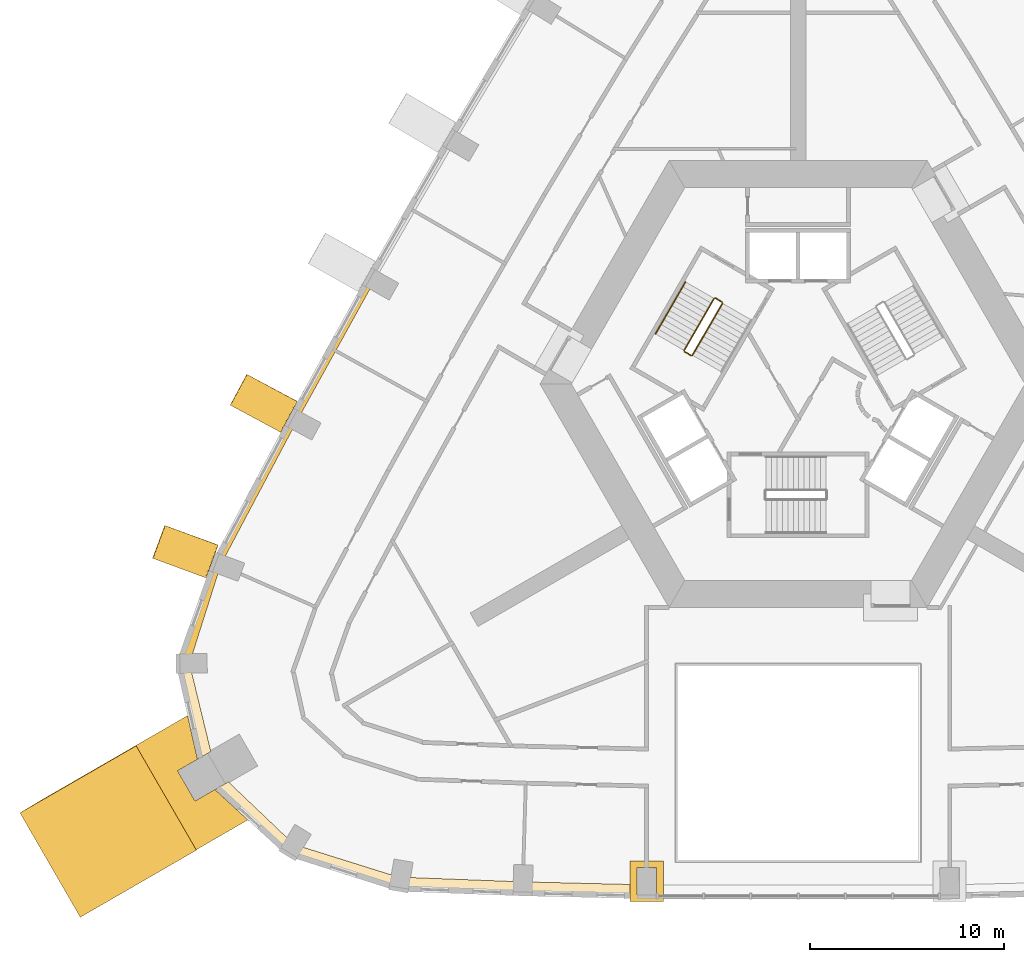
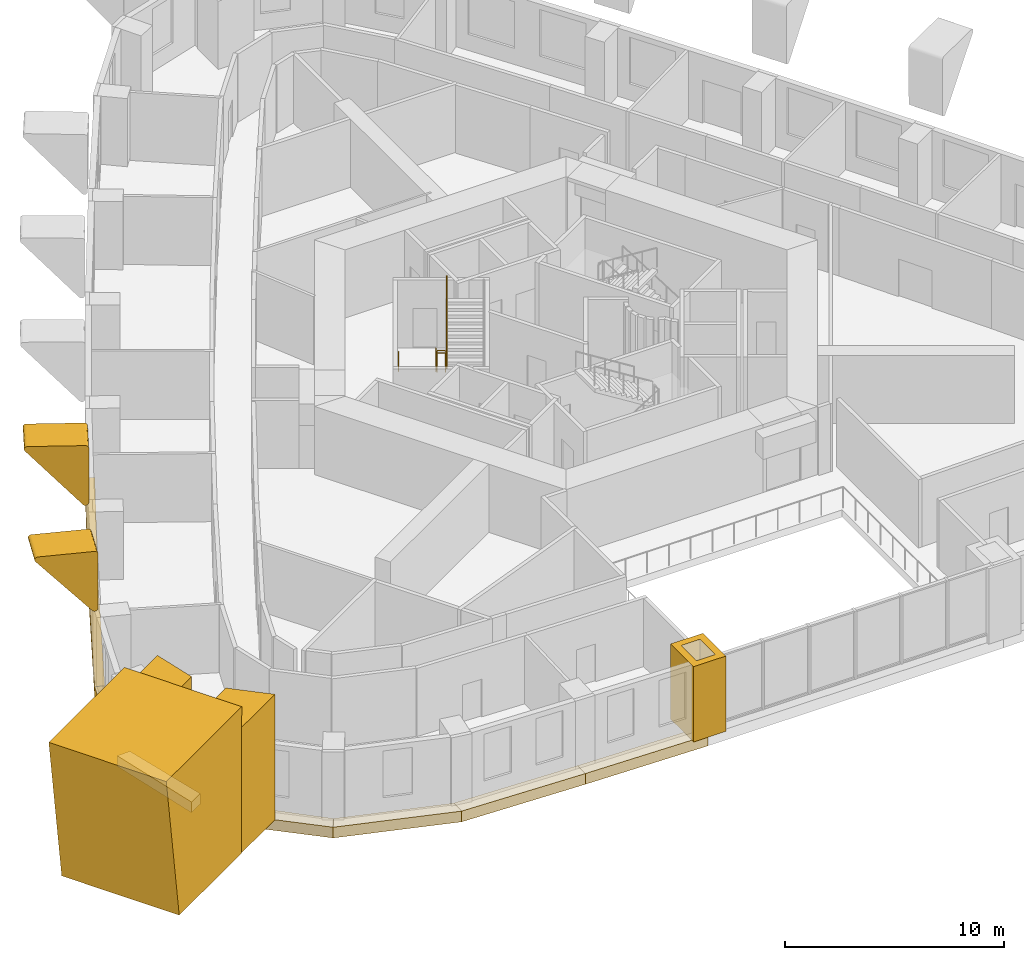
# One storey, part 11 of 13: 13 coverings, 5 railings.
"""IFC4 building model written with IfcOpenShell, lengths in metres."""

from ifc_helpers import new_model, si_unit, direction, frame, origin, origin_2d, place, context, subcontext, project, spatial, polyline, circle, outline, extrude, material, type_object, element, save


model = new_model("IFC4")

# Units and contexts
model_context = context("Model", 3, precision=1e-05, world=origin(), true_north=direction((0.0, 1.0)))
body_context = subcontext(model_context, "Body", "Model", "MODEL_VIEW")
ifc_project = project(units=[si_unit("LENGTHUNIT", "METRE"), si_unit("AREAUNIT", "SQUARE_METRE"), si_unit("VOLUMEUNIT", "CUBIC_METRE"), si_unit("PLANEANGLEUNIT", "RADIAN"), si_unit("MASSUNIT", "GRAM", prefix="KILO")], contexts=[model_context])

# Site, building, storey
site_placement = place(None, origin())
site = spatial("IfcSite", under=ifc_project, at=site_placement, CompositionType="ELEMENT")
building_placement = place(site_placement, origin())
building = spatial("IfcBuilding", under=site, at=building_placement, Name="Entoto Arch Interchange Tower", CompositionType="ELEMENT")
storey_placement = place(building_placement, frame((0.0, 0.0, 227.60009765625)))
storey = spatial("IfcBuildingStorey", under=building, at=storey_placement, Name="L51", CompositionType="ELEMENT", Elevation=227.60009765625)

# Coverings
ifc_material_1 = material(Name="Board-marked precast concrete C50/60", Category="concrete")
covering_type_1 = type_object("IfcCoveringType", Name="PRECAST FRAME COURSE", PredefinedType="CLADDING", material=ifc_material_1)
covering_1_placement = place(storey_placement, frame((0.0, 0.0, -0.400146484375)))
element("IfcCovering", 1, at=covering_1_placement, inside=storey, type_object=covering_type_1, Name="Corner pilaster SW L51-L52", PredefinedType="CLADDING", context=body_context, shape_type="SweptSolid", body=[
    extrude(outline(polyline([(-30.968017578125, -21.458984375), (-34.068115234375, -16.089111328125), (-31.407958984375, -14.553955078125), (-30.905029296875, -16.803955078125), (-31.927978515625, -17.39501953125), (-31.028076171875, -18.952880859375), (-30.0048828125, -18.362060546875), (-28.30810546875, -19.923095703125), (-30.968017578125, -21.458984375)])), origin(), (0.0, 0.0, 1.0), 7.0),
])
covering_2_placement = place(storey_placement, frame((-34.068115234375, -16.089111328125, -0.400146484375), z_axis=(-0.499997349889, 0.866021424235, 0.003089153553), x_axis=(-0.866025556186, -0.499999736032, 1.57659e-07)))
element("IfcCovering", 2, at=covering_2_placement, inside=storey, type_object=covering_type_1, Name="Corner rib SW L51-L52", PredefinedType="CLADDING", context=body_context, shape_type="SweptSolid", body=[
    extrude(outline(polyline([(0.0, 0.0), (5.675282569146415, 0.0), (6.899977960372432, 8.199989209841922), (-0.00042971399233098786, 8.199991192516787), (0.0, 0.0)])), origin(), (0.0, 0.0, -1.0), 6.199951171875),
])
covering_3_placement = place(storey_placement, frame((-25.991943359375, 1.735107421875, 4.501953125), z_axis=(0.474135045126, 0.88044723366, 0.002937298633), x_axis=(0.673361415264, -0.3604625582, -0.645485203989)))
element("IfcCovering", 3, at=covering_3_placement, inside=storey, type_object=covering_type_1, Name="Fold rib NW05 L51-L52", PredefinedType="CLADDING", context=body_context, shape_type="SweptSolid", body=[
    extrude(outline(polyline([(0.0, 0.0), (0.0434939784463933, 0.0), (0.08517630676299522, -0.011570512054581567), (0.12154199642759661, -0.035913012503873264), (0.1496694081030509, -0.06895307942017168), (0.167162204244638, -0.10835168807517323), (0.17277072526247086, -0.15113010117226508), (0.1656273559627431, -0.19495916891719578), (0.14636470177392336, -0.23365959630736774), (-1.831105471148678, -2.574081020803898), (-1.851690149431129, -2.5947233245402317), (-1.8763240067246958, -2.610345597998074), (-1.9183484556976005, -2.624694104351255), (-1.9476744901602088, -2.627398679118593), (-1.9768310736455807, -2.623857269357454), (-2.017990745685341, -2.6085686281072236), (-2.042411878703281, -2.591764557185747), (-4.0712255187730335, -0.8771490464706064), (-4.100520113333705, -0.8434406786614639), (-4.114455885812815, -0.8172782512933119), (-4.121874778094373, -0.7886305422655995), (-4.124753056349675, -0.7587089028525067), (-4.120601572963674, -0.7296145145647972), (-4.111331094683363, -0.7006879149660572), (-4.095912330971226, -0.6756809329729663), (-4.076528864152207, -0.6527455431842872), (-4.05277423428417, -0.6347822075387044), (-4.025841568248836, -0.6223829890305705), (-3.996601288556528, -0.6141697841743561), (0.0, 0.0)])), origin(), (0.0, 0.0, -1.0), 1.800048828125),
])
covering_4_placement = place(storey_placement, frame((-30.077880859375, -5.68896484375, 4.50390625), z_axis=(0.346976240135, 0.937869720757, 0.002806362136), x_axis=(0.711853656452, -0.261408302301, -0.651866605437)))
element("IfcCovering", 4, at=covering_4_placement, inside=storey, type_object=covering_type_1, Name="Fold rib NW06 L51-L52", PredefinedType="CLADDING", context=body_context, shape_type="SweptSolid", body=[
    extrude(outline(polyline([(0.0, 0.0), (0.043071678208437006, 6.938893903907228e-18), (0.0855026142770074, -0.012972437724281673), (0.12123970041290769, -0.036931857504450036), (0.14901943052540456, -0.07014821649200406), (0.1662949078751074, -0.11010837783544664), (0.17201921136991646, -0.1530213060304705), (0.16392537750055217, -0.19628367414569356), (0.14476250760759415, -0.23518686757022444), (-1.8509848317688007, -2.5574697321769477), (-1.872264129408853, -2.577489453567162), (-1.8969717152517886, -2.5929514256829718), (-1.9387870645136773, -2.6072295262462775), (-1.968575484597511, -2.60931135655018), (-1.996826582989956, -2.6062749378970325), (-2.0382343843582005, -2.5903173901320415), (-2.0627469112506693, -2.5731108091258736), (-4.061593734639155, -0.854880604566993), (-4.090986771431181, -0.8206010350711601), (-4.104104790914935, -0.7948352934725846), (-4.112276012493076, -0.7652782787144947), (-4.114077447418644, -0.736038806981018), (-4.109959797832155, -0.7067418130626091), (-4.100499663005952, -0.677850917679119), (-4.085547566692577, -0.6523921351680826), (-4.065277301288626, -0.630216385367182), (-4.041657213344221, -0.6122084579003315), (-4.01530924606511, -0.5994431268505862), (-3.986647020426391, -0.592531516564279), (0.0, 0.0)])), origin(), (0.0, 0.0, -1.0), 1.800048828125),
])
covering_5_placement = place(storey_placement, frame((0.0, 0.0, -0.400146484375)))
element("IfcCovering", 5, at=covering_5_placement, inside=storey, type_object=covering_type_1, Name="Gate pier L51", PredefinedType="CLADDING", context=body_context, shape_type="SweptSolid", body=[
    extrude(outline(polyline([(-8.637939453125, -22.028076171875), (-6.93798828125, -22.028076171875), (-6.93798828125, -24.1279296875), (-8.637939453125, -24.1279296875), (-8.637939453125, -22.028076171875)]), holes=[polyline([(-8.2880859375, -22.3779296875), (-8.2880859375, -23.778076171875), (-7.2880859375, -23.778076171875), (-7.2880859375, -22.3779296875), (-8.2880859375, -22.3779296875)])]), origin(), (0.0, 0.0, 1.0), 4.199951171875),
])
covering_type_2 = type_object("IfcCoveringType", Name="PRECAST LEDGE COURSE", PredefinedType="CLADDING", material=ifc_material_1)
covering_6_placement = place(storey_placement, frame((0.0, 0.0, -1.0)))
element("IfcCovering", 6, at=covering_6_placement, inside=storey, type_object=covering_type_2, Name="Precast course S-01 L51", PredefinedType="CLADDING", context=body_context, shape_type="SweptSolid", body=[
    extrude(outline(polyline([(-14.18505859375, -23.10693359375), (-14.18505859375, -23.830078125), (-20.569091796875, -23.594970703125), (-20.569091796875, -22.862060546875), (-14.18505859375, -23.10693359375)])), origin(), (0.0, 0.0, 1.0), 0.599853515625),
])
covering_7_placement = place(storey_placement, frame((0.0, 0.0, -1.0)))
element("IfcCovering", 7, at=covering_7_placement, inside=storey, type_object=covering_type_2, Name="Precast course S-02 L51", PredefinedType="CLADDING", context=body_context, shape_type="SweptSolid", body=[
    extrude(outline(polyline([(-7.800048828125, -23.260986328125), (-7.800048828125, -23.97802734375), (-14.18505859375, -23.830078125), (-14.18505859375, -23.10693359375), (-7.800048828125, -23.260986328125)])), origin(), (0.0, 0.0, 1.0), 0.599853515625),
])
covering_8_placement = place(storey_placement, frame((0.0, 0.0, -1.0)))
element("IfcCovering", 8, at=covering_8_placement, inside=storey, type_object=covering_type_2, Name="Precast course NW-04 L51", PredefinedType="CLADDING", context=body_context, shape_type="SweptSolid", body=[
    extrude(outline(polyline([(-25.784912109375, 0.60205078125), (-26.18701171875, 0.818115234375), (-22.18408203125, 8.041015625), (-21.791015625, 7.819091796875), (-25.784912109375, 0.60205078125)])), origin(), (0.0, 0.0, 1.0), 0.599853515625),
])
covering_9_placement = place(storey_placement, frame((0.0, 0.0, -1.0)))
element("IfcCovering", 9, at=covering_9_placement, inside=storey, type_object=covering_type_2, Name="Precast course NW-05 L51", PredefinedType="CLADDING", context=body_context, shape_type="SweptSolid", body=[
    extrude(outline(polyline([(-29.699951171875, -6.7880859375), (-30.14306640625, -6.6240234375), (-26.18701171875, 0.818115234375), (-25.784912109375, 0.60205078125), (-29.699951171875, -6.7880859375)])), origin(), (0.0, 0.0, 1.0), 0.599853515625),
])
covering_10_placement = place(storey_placement, frame((0.0, 0.0, -1.0)))
element("IfcCovering", 10, at=covering_10_placement, inside=storey, type_object=covering_type_2, Name="Precast course SW-01 L51", PredefinedType="CLADDING", context=body_context, shape_type="SweptSolid", body=[
    extrude(outline(polyline([(-31.31201171875, -11.873046875), (-32.00390625, -11.889892578125), (-30.14306640625, -6.6240234375), (-29.699951171875, -6.7880859375), (-31.31201171875, -11.873046875)])), origin(), (0.0, 0.0, 1.0), 0.599853515625),
])
covering_11_placement = place(storey_placement, frame((0.0, 0.0, -1.0)))
element("IfcCovering", 11, at=covering_11_placement, inside=storey, type_object=covering_type_2, Name="Precast course SW-02 L51", PredefinedType="CLADDING", context=body_context, shape_type="SweptSolid", body=[
    extrude(outline(polyline([(-30.212890625, -16.404052734375), (-30.905029296875, -16.803955078125), (-32.00390625, -11.889892578125), (-31.31201171875, -11.873046875), (-30.212890625, -16.404052734375)])), origin(), (0.0, 0.0, 1.0), 0.599853515625),
])
covering_12_placement = place(storey_placement, frame((0.0, 0.0, -1.0)))
element("IfcCovering", 12, at=covering_12_placement, inside=storey, type_object=covering_type_2, Name="Precast course SW-03 L51", PredefinedType="CLADDING", context=body_context, shape_type="SweptSolid", body=[
    extrude(outline(polyline([(-25.93798828125, -21.179931640625), (-26.299072265625, -21.77099609375), (-30.0048828125, -18.363037109375), (-29.31298828125, -17.962890625), (-25.93798828125, -21.179931640625)])), origin(), (0.0, 0.0, 1.0), 0.599853515625),
])
covering_13_placement = place(storey_placement, frame((0.0, 0.0, -1.0)))
element("IfcCovering", 13, at=covering_13_placement, inside=storey, type_object=covering_type_2, Name="Precast course SW-04 L51", PredefinedType="CLADDING", context=body_context, shape_type="SweptSolid", body=[
    extrude(outline(polyline([(-20.569091796875, -22.862060546875), (-20.569091796875, -23.594970703125), (-26.299072265625, -21.77099609375), (-25.93798828125, -21.179931640625), (-20.569091796875, -22.862060546875)])), origin(), (0.0, 0.0, 1.0), 0.599853515625),
])

# Railings
ifc_material_2 = material(Name="Stainless steel 1.4301", Category="steel")
railing_type_1 = type_object("IfcRailingType", Name="STAIR GUARD 1100 STEEL", PredefinedType="GUARDRAIL", material=ifc_material_2)
railing_1_placement = place(storey_placement, frame((-4.327880859375, 6.904052734375, 0.1748046875)))
element("IfcRailing", 14, at=railing_1_placement, inside=storey, type_object=railing_type_1, Name="L51 ST-NW stair guard 1", PredefinedType="GUARDRAIL", context=body_context, shape_type="SweptSolid", body=[
    extrude(circle(Radius=0.02392578125, at=origin_2d()), frame((0.0, 0.0, 1.076171875), z_axis=(-0.423994474112, -0.734394994316, 0.52999309264), x_axis=(0.866029832698, -0.499992328818, 0.0)), (0.0, 0.0, 1.0), 3.63232421875),
    extrude(circle(Radius=0.02099609375, at=origin_2d()), origin(), (0.0, 0.0, 1.0), 1.052001953125),
    extrude(circle(Radius=0.02099609375, at=origin_2d()), frame((-0.385009765625, -0.6669921875, 0.481201171875)), (0.0, 0.0, 1.0), 1.052001953125),
    extrude(circle(Radius=0.02099609375, at=origin_2d()), frame((-0.77001953125, -1.333740234375, 0.96240234375)), (0.0, 0.0, 1.0), 1.052001953125),
    extrude(circle(Radius=0.02099609375, at=origin_2d()), frame((-1.155029296875, -2.00048828125, 1.44384765625)), (0.0, 0.0, 1.0), 1.052001953125),
    extrude(circle(Radius=0.02099609375, at=origin_2d()), frame((-1.5400390625, -2.66748046875, 1.925048828125)), (0.0, 0.0, 1.0), 1.052001953125),
])
railing_2_placement = place(storey_placement, frame((-5.849609375, 4.168212890625, 2.099853515625)))
element("IfcRailing", 15, at=railing_2_placement, inside=storey, type_object=railing_type_1, Name="L51 ST-NW stair guard 2", PredefinedType="GUARDRAIL", context=body_context, shape_type="SweptSolid", body=[
    extrude(circle(Radius=0.02392578125, at=origin_2d()), frame((0.0, 0.0, 1.076171875), z_axis=(0.866094119867, -0.499880961361, 0.0), x_axis=(0.499880961361, 0.866094119867, 0.0)), (0.0, 0.0, 1.0), 0.39990234375),
    extrude(circle(Radius=0.02099609375, at=origin_2d()), origin(), (0.0, 0.0, 1.0), 1.052001953125),
    extrude(circle(Radius=0.02099609375, at=origin_2d()), frame((0.346435546875, -0.199951171875, 0.0)), (0.0, 0.0, 1.0), 1.052001953125),
])
railing_3_placement = place(storey_placement, frame((-5.434814453125, 3.986572265625, 2.27490234375)))
element("IfcRailing", 16, at=railing_3_placement, inside=storey, type_object=railing_type_1, Name="L51 ST-NW stair guard 3", PredefinedType="GUARDRAIL", context=body_context, shape_type="SweptSolid", body=[
    extrude(circle(Radius=0.02392578125, at=origin_2d()), frame((0.0, 0.0, 1.076171875), z_axis=(0.423994474112, 0.734394994316, 0.52999309264), x_axis=(-0.866029832698, 0.499992328818, 0.0)), (0.0, 0.0, 1.0), 3.63232421875),
    extrude(circle(Radius=0.02099609375, at=origin_2d()), origin(), (0.0, 0.0, 1.0), 1.052001953125),
    extrude(circle(Radius=0.02099609375, at=origin_2d()), frame((0.385009765625, 0.6669921875, 0.481201171875)), (0.0, 0.0, 1.0), 1.052001953125),
    extrude(circle(Radius=0.02099609375, at=origin_2d()), frame((0.77001953125, 1.333740234375, 0.96240234375)), (0.0, 0.0, 1.0), 1.052001953125),
    extrude(circle(Radius=0.02099609375, at=origin_2d()), frame((1.155029296875, 2.00048828125, 1.44384765625)), (0.0, 0.0, 1.0), 1.052001953125),
    extrude(circle(Radius=0.02099609375, at=origin_2d()), frame((1.5400390625, 2.66748046875, 1.925048828125)), (0.0, 0.0, 1.0), 1.052001953125),
])
railing_4_placement = place(storey_placement, frame((-4.259521484375, 6.92236328125, 0.0)))
element("IfcRailing", 17, at=railing_4_placement, inside=storey, type_object=railing_type_1, Name="L51 ST-NW stair guard 4", PredefinedType="GUARDRAIL", context=body_context, shape_type="SweptSolid", body=[
    extrude(circle(Radius=0.02392578125, at=origin_2d()), frame((0.0, 0.0, 1.076171875), z_axis=(0.865829829939, -0.500338590944, 0.0), x_axis=(0.500338590944, 0.865829829939, 0.0)), (0.0, 0.0, 1.0), 0.400146484375),
    extrude(circle(Radius=0.02099609375, at=origin_2d()), origin(), (0.0, 0.0, 1.0), 1.052001953125),
    extrude(circle(Radius=0.02099609375, at=origin_2d()), frame((0.346435546875, -0.2001953125, 0.0)), (0.0, 0.0, 1.0), 1.052001953125),
])
railing_type_2 = type_object("IfcRailingType", Name="STAIR HANDRAIL 900 STEEL", PredefinedType="HANDRAIL", material=ifc_material_2)
railing_5_placement = place(storey_placement, frame((-5.800048828125, 7.75390625, 0.1748046875)))
element("IfcRailing", 18, at=railing_5_placement, inside=storey, type_object=railing_type_2, Name="L51 ST-NW stair handrail 1", PredefinedType="HANDRAIL", context=body_context, shape_type="SweptSolid", body=[
    extrude(circle(Radius=0.02392578125, at=origin_2d()), frame((0.0, 0.0, 0.8759765625), z_axis=(-0.424015404183, -0.734364028329, 0.530019255228), x_axis=(0.866010015463, -0.500026652407, 0.0)), (0.0, 0.0, 1.0), 3.632080078125),
    extrude(circle(Radius=0.02099609375, at=origin_2d()), origin(), (0.0, 0.0, 1.0), 0.851806640625),
    extrude(circle(Radius=0.02099609375, at=origin_2d()), frame((-0.385009765625, -0.666748046875, 0.481201171875)), (0.0, 0.0, 1.0), 0.851806640625),
    extrude(circle(Radius=0.02099609375, at=origin_2d()), frame((-0.77001953125, -1.33349609375, 0.96240234375)), (0.0, 0.0, 1.0), 0.851806640625),
    extrude(circle(Radius=0.02099609375, at=origin_2d()), frame((-1.155029296875, -2.00048828125, 1.44384765625)), (0.0, 0.0, 1.0), 0.851806640625),
    extrude(circle(Radius=0.02099609375, at=origin_2d()), frame((-1.5400390625, -2.667236328125, 1.925048828125)), (0.0, 0.0, 1.0), 0.851806640625),
])

save(model, "model.ifc")
